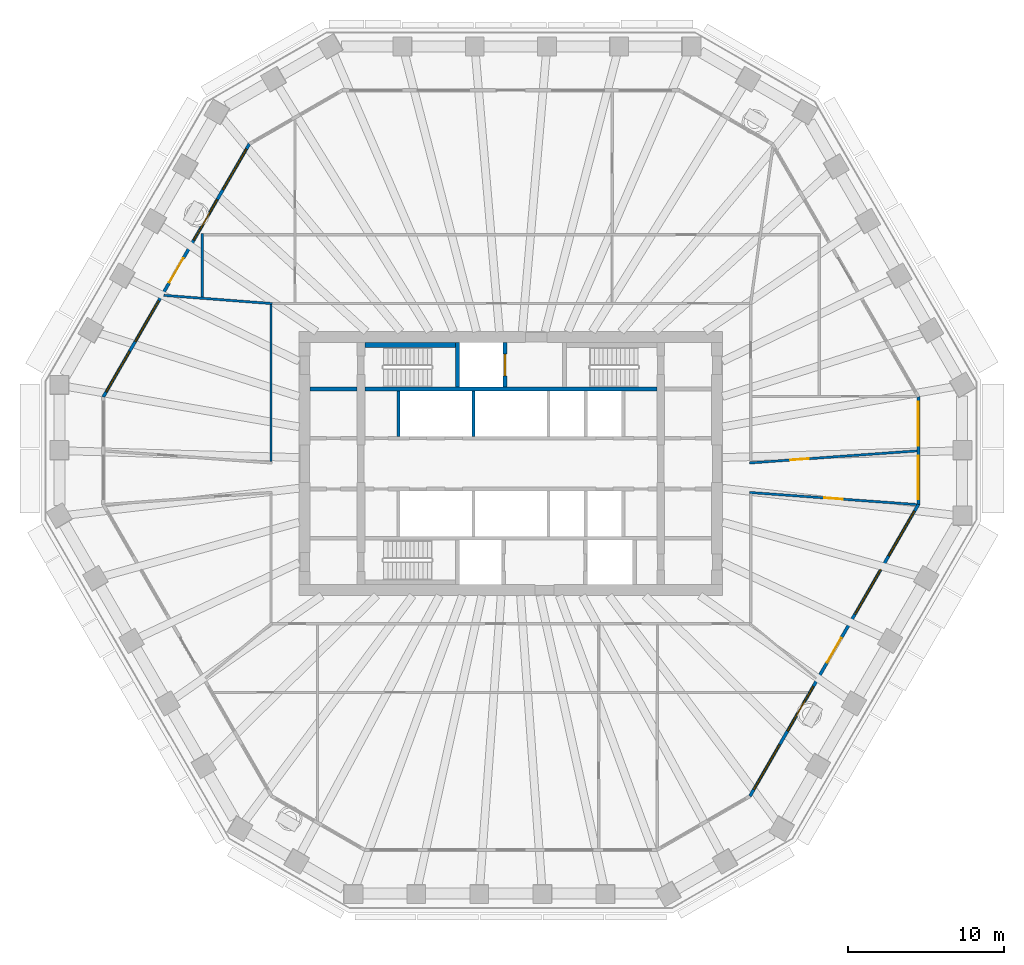
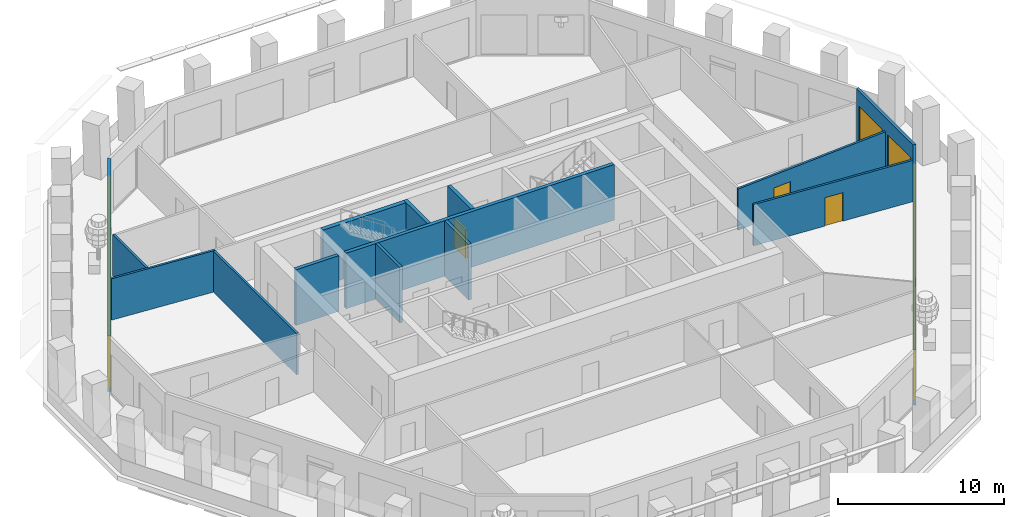
# One storey, part 6 of 12: 15 walls, 12 windows, 5 doors, 17 openings.
"""IFC4 building model written with IfcOpenShell, lengths in metres."""

import ifcopenshell
import ifcopenshell.guid

model = None  # the IFC model being written
_history = None  # IfcOwnerHistory: only IFC2X3 demands one
_inside = {}  # id of a spatial element -> (the spatial element, [elements in it])
_under = {}  # id of a project, library or spatial element -> (it, [spatial elements below it])
_declared = {}  # id of a project -> (the project, [libraries it declares])
_typed = {}  # id of a type object -> (the type object, [elements of that type])
_made_of = {}  # id of a material, layer set ... -> (it, [elements and type objects made of it])


def new_model(schema):
    """Start an empty IFC model of exactly this schema.

    Asked for "IFC4X3", IfcOpenShell would pick the latest addendum, in which some entities
    have other attributes; the version numbers below select the first issue.
    IFC2X3 requires an IfcOwnerHistory on every rooted entity: one is made here for all.
    """
    global model, _history
    if schema == "IFC4X3":
        model = ifcopenshell.file(schema_version=(4, 3, 0, 0))
    else:
        model = ifcopenshell.file(schema=schema)
    _inside.clear()
    _under.clear()
    _declared.clear()
    _typed.clear()
    _made_of.clear()
    _history = None
    if model.schema == "IFC2X3":
        org = make("IfcOrganization", Name="unknown")
        user = make(
            "IfcPersonAndOrganization",
            ThePerson=make("IfcPerson", FamilyName="unknown"),
            TheOrganization=org,
        )
        app = make(
            "IfcApplication",
            ApplicationDeveloper=org,
            Version="unknown",
            ApplicationFullName="unknown",
            ApplicationIdentifier="unknown",
        )
        _history = make(
            "IfcOwnerHistory",
            OwningUser=user,
            OwningApplication=app,
            ChangeAction="ADDED",
            CreationDate=0,
        )
    return model


def make(cls, **values):
    """One entity of the class cls with the attributes given. An attribute that is None is left unset."""
    return model.create_entity(
        cls, **{name: value for name, value in values.items() if value is not None}
    )


def rooted(cls, **values):
    """An entity with a GlobalId (a new one), such as an element, a storey or a relation."""
    return make(cls, GlobalId=ifcopenshell.guid.new(), OwnerHistory=_history, **values)


def si_unit(unit_type, name, prefix=None):
    """IfcSIUnit, for example si_unit("LENGTHUNIT", "METRE", prefix="MILLI")."""
    return make("IfcSIUnit", UnitType=unit_type, Prefix=prefix, Name=name)


def assignment(units):
    """IfcUnitAssignment: the units of a project."""
    return None if units is None else make("IfcUnitAssignment", Units=units)


def point(xyz):
    """IfcCartesianPoint."""
    return None if xyz is None else make("IfcCartesianPoint", Coordinates=xyz)


def direction(xyz):
    """IfcDirection."""
    return None if xyz is None else make("IfcDirection", DirectionRatios=xyz)


def frame(location, z_axis=None, x_axis=None):
    """IfcAxis2Placement3D, a coordinate frame: its origin and axes. An axis left out is left unset."""
    return make(
        "IfcAxis2Placement3D",
        Location=point(location),
        Axis=direction(z_axis),
        RefDirection=direction(x_axis),
    )


def frame_2d(location, x_axis=None):
    """IfcAxis2Placement2D, a coordinate frame in the plane: its origin and x axis."""
    return make(
        "IfcAxis2Placement2D", Location=point(location), RefDirection=direction(x_axis)
    )


def origin():
    """The frame at (0, 0, 0) with its axes left unset."""
    return frame((0.0, 0.0, 0.0))


def place(relative_to, where):
    """IfcLocalPlacement: puts the frame where relative to a parent placement (None: the world)."""
    return make(
        "IfcLocalPlacement", PlacementRelTo=relative_to, RelativePlacement=where
    )


def context(
    kind, dimensions, precision=None, world=None, true_north=None, identifier=None
):
    """IfcGeometricRepresentationContext, for example the 3D "Model" context."""
    return make(
        "IfcGeometricRepresentationContext",
        ContextIdentifier=identifier,
        ContextType=kind,
        CoordinateSpaceDimension=dimensions,
        Precision=precision,
        WorldCoordinateSystem=world,
        TrueNorth=true_north,
    )


def subcontext(parent, identifier, kind, view, scale=None):
    """IfcGeometricRepresentationSubContext, for example "Body" below "Model"."""
    return make(
        "IfcGeometricRepresentationSubContext",
        ContextIdentifier=identifier,
        ContextType=kind,
        ParentContext=parent,
        TargetScale=scale,
        TargetView=view,
    )


def project(units=None, contexts=None):
    """IfcProject with its units and contexts."""
    return rooted(
        "IfcProject",
        Name="project",
        RepresentationContexts=contexts,
        UnitsInContext=assignment(units),
    )


def spatial(cls, under=None, at=None, **own):
    """A site, building, storey or space (cls), placed at a placement, below another one or the project."""
    s = rooted(cls, ObjectPlacement=at, **own)
    if under is not None:
        _under.setdefault(under.id(), (under, []))[1].append(s)
    return s


def polyline(points):
    """IfcPolyline through the points."""
    return make("IfcPolyline", Points=[point(p) for p in points])


def profile(cls, at=None, kind="AREA", **sizes):
    """A parametric profile (cls). Its sizes go by their IFC names, for example OverallWidth=200.0."""
    return make(cls, ProfileType=kind, Position=at, **sizes)


def rectangle(**sizes):
    """IfcRectangleProfileDef."""
    return profile("IfcRectangleProfileDef", **sizes)


def outline(outer, holes=None, kind="AREA"):
    """IfcArbitraryClosedProfileDef: a profile drawn as a closed curve; with holes, ...WithVoids."""
    if holes is None:
        return make("IfcArbitraryClosedProfileDef", ProfileType=kind, OuterCurve=outer)
    return make(
        "IfcArbitraryProfileDefWithVoids",
        ProfileType=kind,
        OuterCurve=outer,
        InnerCurves=holes,
    )


def extrude(swept, where, along, depth):
    """IfcExtrudedAreaSolid: the profile swept, set in the frame where, extruded along a direction by depth."""
    return make(
        "IfcExtrudedAreaSolid",
        SweptArea=swept,
        Position=where,
        ExtrudedDirection=direction(along),
        Depth=depth,
    )


def shape(context_of_items, identifier, shape_type, items):
    """IfcShapeRepresentation: the items that make up one representation, for example the "Body"."""
    return make(
        "IfcShapeRepresentation",
        ContextOfItems=context_of_items,
        RepresentationIdentifier=identifier,
        RepresentationType=shape_type,
        Items=items,
    )


def material(Name=None, Category=None):
    """IfcMaterial."""
    return make("IfcMaterial", Name=Name, Category=Category)


def layer(
    of_material, thickness, ventilated=None, Name=None, Category=None, Priority=None
):
    """IfcMaterialLayer: one layer of a wall or slab, of a material (None: an air gap)."""
    return make(
        "IfcMaterialLayer",
        Material=of_material,
        LayerThickness=thickness,
        IsVentilated=ventilated,
        Name=Name,
        Category=Category,
        Priority=Priority,
    )


def layer_set(layers, Name=None):
    """IfcMaterialLayerSet."""
    return make("IfcMaterialLayerSet", MaterialLayers=layers, LayerSetName=Name)


def made_of(thing, what):
    """Note that an element or type object is made of a material, layer set ...; save() writes the relation."""
    if what is not None:
        _made_of.setdefault(what.id(), (what, []))[1].append(thing)
    return thing


def type_object(cls, material=None, **own):
    """A type object (cls), such as IfcWallType, which elements share."""
    return made_of(rooted(cls, **own), material)


def element(
    cls,
    number,
    at=None,
    inside=None,
    cuts=None,
    type_object=None,
    material=None,
    context=None,
    identifier="Body",
    shape_type=None,
    held_by="IfcProductDefinitionShape",
    body=None,
    shapes=None,
    **own,
):
    """One element of the class cls, such as IfcWall. Its Tag is "e" and its number.

    at: its placement. inside: the storey or other place that contains it. cuts: it is an
    opening in that element (IfcRelVoidsElement). A single representation is given by context,
    identifier, shape_type and body (its items); several are given by shapes. held_by: the class
    of the entity that holds the representations. save() writes the other relations.
    """
    e = rooted(cls, Tag="e%d" % number, ObjectPlacement=at, **own)
    if body is not None:
        shapes = [shape(context, identifier, shape_type, body)]
    if shapes is not None:
        e.Representation = make(held_by, Representations=shapes)
    if inside is not None:
        _inside.setdefault(inside.id(), (inside, []))[1].append(e)
    if cuts is not None:
        rooted(
            "IfcRelVoidsElement", RelatingBuildingElement=cuts, RelatedOpeningElement=e
        )
    if type_object is not None:
        _typed.setdefault(type_object.id(), (type_object, []))[1].append(e)
    return made_of(e, material)


def fill(opening, filler):
    """IfcRelFillsElement: the door or window that sits in an opening."""
    return rooted(
        "IfcRelFillsElement",
        RelatingOpeningElement=opening,
        RelatedBuildingElement=filler,
    )


def aggregate(whole, parts):
    """IfcRelAggregates: a whole, such as a stair, and the parts it consists of."""
    return rooted("IfcRelAggregates", RelatingObject=whole, RelatedObjects=parts)


def save(model, path):
    """Write the relations noted so far, then the file.

    IfcRelAggregates (storeys below a building ...), IfcRelContainedInSpatialStructure (elements
    in a storey), IfcRelDefinesByType, IfcRelAssociatesMaterial and IfcRelDeclares: one each for
    every whole, place, type object, material and project.
    """
    for whole, parts in _under.values():
        aggregate(whole, parts)
    for where, things in _inside.values():
        rooted(
            "IfcRelContainedInSpatialStructure",
            RelatedElements=things,
            RelatingStructure=where,
        )
    for kind, things in _typed.values():
        rooted("IfcRelDefinesByType", RelatedObjects=things, RelatingType=kind)
    for what, things in _made_of.values():
        rooted("IfcRelAssociatesMaterial", RelatedObjects=things, RelatingMaterial=what)
    for by, libraries in _declared.values():
        rooted("IfcRelDeclares", RelatingContext=by, RelatedDefinitions=libraries)
    model.write(path)


model = new_model("IFC4")

# Units and contexts
model_context = context("Model", 3, precision=1e-05, world=origin(), true_north=direction((0.0, 1.0)))
body_context = subcontext(model_context, "Body", "Model", "MODEL_VIEW")
ifc_project = project(units=[si_unit("LENGTHUNIT", "METRE"), si_unit("AREAUNIT", "SQUARE_METRE"), si_unit("VOLUMEUNIT", "CUBIC_METRE"), si_unit("PLANEANGLEUNIT", "RADIAN"), si_unit("MASSUNIT", "GRAM", prefix="KILO")], contexts=[model_context])

# Site, building, storey
site_placement = place(None, origin())
site = spatial("IfcSite", under=ifc_project, at=site_placement, CompositionType="ELEMENT")
building_placement = place(site_placement, origin())
building = spatial("IfcBuilding", under=site, at=building_placement, Name="Frailejon Research Tower", CompositionType="ELEMENT")
storey_placement = place(building_placement, frame((0.0, 0.0, 171.60009765625)))
storey = spatial("IfcBuildingStorey", under=building, at=storey_placement, Name="L37", CompositionType="ELEMENT", Elevation=171.60009765625)

# Wall
ifc_material_1 = material(Name="Gypsum board and masonry partition", Category="masonry")
ifc_layer_1 = layer(ifc_material_1, 0.14990234375)
ifc_layer_set_1 = layer_set([ifc_layer_1], Name="Corridor wall EI 60, gypsum on steel studs 150")
wall_type_1 = type_object("IfcWallType", Name="Corridor wall EI 60, gypsum on steel studs 150", PredefinedType="PARTITIONING", material=ifc_layer_set_1)
wall_1_placement = place(storey_placement, frame((-15.35009765625, 0.12255859375, 0.0), z_axis=(0.0, 0.0, 1.0), x_axis=(0.0, 1.0, 0.0)))
element("IfcWall", 1, at=wall_1_placement, inside=storey, type_object=wall_type_1, Name="T:IW:L37:005", PredefinedType="PARTITIONING", context=body_context, shape_type="SweptSolid", body=[
    extrude(rectangle(XDim=10.052490234375, YDim=0.14990234375, at=frame_2d((5.0263671875, 0.0))), origin(), (0.0, 0.0, 1.0), 3.0498046875),
])

# Wall, opening, door
wall_2_placement = place(storey_placement, frame((15.275146484375, 0.042236328125, 0.0), z_axis=(0.0, 0.0, 1.0), x_axis=(0.997408977035, 0.07193978406, 0.0)))
wall_2 = element("IfcWall", 2, at=wall_2_placement, inside=storey, type_object=wall_type_1, Name="T:IW:L37:009", PredefinedType="PARTITIONING", context=body_context, shape_type="SweptSolid", body=[
    extrude(rectangle(XDim=10.744384765625, YDim=0.14990234375, at=frame_2d((5.3720703125, 0.0))), origin(), (0.0, 0.0, 1.0), 3.0498046875),
])
opening_1_placement = place(wall_2_placement, frame((2.617431640625, 0.0, 0.0)))
opening_1 = element("IfcOpeningElement", 3, at=opening_1_placement, cuts=wall_2, Name="Opening D1803", PredefinedType="OPENING", context=body_context, shape_type="SweptSolid", body=[
    extrude(rectangle(XDim=1.199951171875, YDim=2.10009765625, at=frame_2d((0.60009765625, 1.050048828125))), frame((0.0, 0.0849609375, 0.0), z_axis=(0.0, -1.0, 0.0), x_axis=(1.0, 0.0, 0.0)), (0.0, 0.0, 1.0), 0.169921875),
])
ifc_material_2 = material(Name="Timber door leaf", Category="wood")
door_type_1 = type_object("IfcDoorType", Name="Door laboratory, timber, vision panel 1200", OperationType="NOTDEFINED", PredefinedType="DOOR", material=ifc_material_2)
door_1_placement = place(opening_1_placement, origin())
door_1 = element("IfcDoor", 4, at=door_1_placement, inside=storey, type_object=door_type_1, Name="D1803", OperationType="DOUBLE_DOOR_SINGLE_SWING", OverallHeight=2.10009765625, OverallWidth=1.199951171875, PredefinedType="DOOR", context=body_context, shape_type="SweptSolid", body=[
    extrude(rectangle(XDim=1.199951171875, YDim=2.10009765625, at=frame_2d((0.60009765625, 1.050048828125))), frame((0.0, 0.02490234375, 0.0), z_axis=(0.0, -1.0, 0.0), x_axis=(1.0, 0.0, 0.0)), (0.0, 0.0, 1.0), 0.050048828125),
])
fill(opening_1, door_1)

wall_3_placement = place(storey_placement, frame((15.275146484375, -1.846923828125, 0.0), z_axis=(0.0, 0.0, 1.0), x_axis=(0.997408409871, -0.07194764707, 0.0)))
wall_3 = element("IfcWall", 5, at=wall_3_placement, inside=storey, type_object=wall_type_1, Name="T:IW:L37:010", PredefinedType="PARTITIONING", context=body_context, shape_type="SweptSolid", body=[
    extrude(rectangle(XDim=10.722900390625, YDim=0.14990234375, at=frame_2d((5.361328125, 0.0))), origin(), (0.0, 0.0, 1.0), 3.0498046875),
])
opening_2_placement = place(wall_3_placement, frame((4.798828125, 0.0, 0.0)))
opening_2 = element("IfcOpeningElement", 6, at=opening_2_placement, cuts=wall_3, Name="Opening D1822", PredefinedType="OPENING", context=body_context, shape_type="SweptSolid", body=[
    extrude(rectangle(XDim=1.199951171875, YDim=2.10009765625, at=frame_2d((0.60009765625, 1.050048828125))), frame((0.0, 0.0849609375, 0.0), z_axis=(0.0, -1.0, 0.0), x_axis=(1.0, 0.0, 0.0)), (0.0, 0.0, 1.0), 0.169921875),
])
ifc_material_3 = material(Name="Timber door leaf", Category="wood")
door_type_2 = type_object("IfcDoorType", Name="Door single leaf, timber, steel frame 1200", OperationType="NOTDEFINED", PredefinedType="DOOR", material=ifc_material_3)
door_2_placement = place(opening_2_placement, origin())
door_2 = element("IfcDoor", 7, at=door_2_placement, inside=storey, type_object=door_type_2, Name="D1822", OperationType="DOUBLE_DOOR_SINGLE_SWING", OverallHeight=2.10009765625, OverallWidth=1.199951171875, PredefinedType="DOOR", context=body_context, shape_type="SweptSolid", body=[
    extrude(rectangle(XDim=1.199951171875, YDim=2.10009765625, at=frame_2d((0.60009765625, 1.050048828125))), frame((0.0, 0.02490234375, 0.0), z_axis=(0.0, -1.0, 0.0), x_axis=(1.0, 0.0, 0.0)), (0.0, 0.0, 1.0), 0.050048828125),
])
fill(opening_2, door_2)

# Walls
ifc_material_4 = material(Name="Gypsum board and masonry partition", Category="masonry")
ifc_layer_2 = layer(ifc_material_4, 0.14990234375)
ifc_layer_set_2 = layer_set([ifc_layer_2], Name="Laboratory partition, blockwork 150")
wall_type_2 = type_object("IfcWallType", Name="Laboratory partition, blockwork 150", PredefinedType="PARTITIONING", material=ifc_layer_set_2)
wall_4_placement = place(storey_placement, frame((-19.75, 10.660400390625, 0.0), z_axis=(0.0, 0.0, 1.0), x_axis=(0.0, 1.0, 0.0)))
element("IfcWall", 8, at=wall_4_placement, inside=storey, type_object=wall_type_2, Name="T:IW:L37:017", PredefinedType="PARTITIONING", context=body_context, shape_type="SweptSolid", body=[
    extrude(rectangle(XDim=4.064697265625, YDim=0.14990234375, at=frame_2d((2.0322265625, 0.0))), origin(), (0.0, 0.0, 1.0), 3.0498046875),
])
wall_5_placement = place(storey_placement, frame((-22.219482421875, 10.773681640625, 0.0), z_axis=(0.0, 0.0, 1.0), x_axis=(0.997107855609, -0.075999501862, 0.0)))
element("IfcWall", 9, at=wall_5_placement, inside=storey, type_object=wall_type_2, Name="T:IW:L37:018", PredefinedType="PARTITIONING", context=body_context, shape_type="SweptSolid", body=[
    extrude(rectangle(XDim=6.964599609375, YDim=0.14990234375, at=frame_2d((3.482421875, 0.0))), origin(), (0.0, 0.0, 1.0), 3.0498046875),
])
ifc_material_5 = material(Name="Concrete C60/75", Category="concrete")
ifc_layer_3 = layer(ifc_material_5, 0.199951171875)
ifc_layer_set_3 = layer_set([ifc_layer_3], Name="Shaft wall 200 C60/75")
wall_type_3 = type_object("IfcWallType", Name="Shaft wall 200 C60/75", PredefinedType="SOLIDWALL", material=ifc_layer_set_3)
for number, where, z_axis, x_axis, name in (
    (10, (-7.199951171875, 1.75, 0.0), (0.0, 0.0, 1.0), (0.0, 1.0, 0.0), "Shaft wall"),
    (11, (-2.39990234375, 1.75, 0.0), (0.0, 0.0, 1.0), (0.0, 1.0, 0.0), "Shaft wall"),
):
    element("IfcWall", number, at=place(storey_placement, frame(where, z_axis=z_axis, x_axis=x_axis)), inside=storey, type_object=wall_type_3, Name=name, PredefinedType="SOLIDWALL", context=body_context, shape_type="SweptSolid", body=[
        extrude(rectangle(XDim=2.89990234375, YDim=0.199951171875, at=frame_2d((1.449951171875, 0.0))), origin(), (0.0, 0.0, 1.0), 4.099853515625),
    ])
ifc_material_6 = material(Name="Concrete C60/75", Category="concrete")
ifc_layer_4 = layer(ifc_material_6, 0.25)
ifc_layer_set_4 = layer_set([ifc_layer_4], Name="Shaft wall 250 C60/75")
wall_type_4 = type_object("IfcWallType", Name="Shaft wall 250 C60/75", PredefinedType="SOLIDWALL", material=ifc_layer_set_4)
wall_6_placement = place(storey_placement, frame((-12.85009765625, 4.77490234375, 0.0), z_axis=(0.0, 0.0, 1.0), x_axis=(1.0, 0.0, 0.0)))
element("IfcWall", 12, at=wall_6_placement, inside=storey, type_object=wall_type_4, Name="Shaft wall", PredefinedType="SOLIDWALL", context=body_context, shape_type="SweptSolid", body=[
    extrude(rectangle(XDim=3.0, YDim=0.25, at=frame_2d((1.5, 0.0))), origin(), (0.0, 0.0, 1.0), 4.099853515625),
])
wall_7_placement = place(storey_placement, frame((-9.35009765625, 4.77490234375, 0.0), z_axis=(0.0, 0.0, 1.0), x_axis=(1.0, 0.0, 0.0)))
element("IfcWall", 13, at=wall_7_placement, inside=storey, type_object=wall_type_4, Name="Shaft wall", PredefinedType="SOLIDWALL", context=body_context, shape_type="SweptSolid", body=[
    extrude(rectangle(XDim=18.7001953125, YDim=0.25, at=frame_2d((9.35009765625, 0.0))), origin(), (0.0, 0.0, 1.0), 4.099853515625),
])
wall_8_placement = place(storey_placement, frame((-3.425048828125, 4.89990234375, 0.0), z_axis=(0.0, 0.0, 1.0), x_axis=(0.0, 1.0, 0.0)))
element("IfcWall", 14, at=wall_8_placement, inside=storey, type_object=wall_type_4, Name="Shaft wall", PredefinedType="SOLIDWALL", context=body_context, shape_type="SweptSolid", body=[
    extrude(rectangle(XDim=2.85009765625, YDim=0.25, at=frame_2d((1.425048828125, 0.0))), origin(), (0.0, 0.0, 1.0), 4.099853515625),
])

# Wall, opening, door
wall_9_placement = place(storey_placement, frame((-0.375, 4.89990234375, 0.0), z_axis=(0.0, 0.0, 1.0), x_axis=(0.0, 1.0, 0.0)))
wall_9 = element("IfcWall", 15, at=wall_9_placement, inside=storey, type_object=wall_type_4, Name="Shaft wall", PredefinedType="SOLIDWALL", context=body_context, shape_type="SweptSolid", body=[
    extrude(rectangle(XDim=2.85009765625, YDim=0.25, at=frame_2d((1.425048828125, 0.0))), origin(), (0.0, 0.0, 1.0), 4.099853515625),
])
opening_3_placement = place(wall_9_placement, frame((0.72509765625, 0.0, 0.0)))
opening_3 = element("IfcOpeningElement", 16, at=opening_3_placement, cuts=wall_9, Name="Opening LD2", PredefinedType="OPENING", context=body_context, shape_type="SweptSolid", body=[
    extrude(rectangle(XDim=1.39990234375, YDim=2.10009765625, at=frame_2d((0.699951171875, 1.050048828125))), frame((0.0, 0.135009765625, 0.0), z_axis=(0.0, -1.0, 0.0), x_axis=(1.0, 0.0, 0.0)), (0.0, 0.0, 1.0), 0.27001953125),
])
ifc_material_7 = material(Name="Stainless steel", Category="steel")
door_type_3 = type_object("IfcDoorType", Name="Goods landing door", OperationType="DOUBLE_DOOR_SLIDING", PredefinedType="DOOR", material=ifc_material_7)
door_3_placement = place(opening_3_placement, origin())
door_3 = element("IfcDoor", 17, at=door_3_placement, inside=storey, type_object=door_type_3, Name="Lift landing door", OperationType="DOUBLE_DOOR_SLIDING", OverallHeight=2.10009765625, OverallWidth=1.39990234375, PredefinedType="DOOR", context=body_context, shape_type="SweptSolid", body=[
    extrude(rectangle(XDim=1.39990234375, YDim=2.10009765625, at=frame_2d((0.699951171875, 1.050048828125))), frame((0.0, 0.074951171875, 0.0), z_axis=(0.0, -1.0, 0.0), x_axis=(1.0, 0.0, 0.0)), (0.0, 0.0, 1.0), 0.14990234375),
])
fill(opening_3, door_3)

# Wall
ifc_material_8 = material(Name="Concrete C60/75", Category="concrete")
ifc_layer_5 = layer(ifc_material_8, 0.300048828125)
ifc_layer_set_5 = layer_set([ifc_layer_5], Name="Shaft wall 300 C60/75")
wall_type_5 = type_object("IfcWallType", Name="Shaft wall 300 C60/75", PredefinedType="SOLIDWALL", material=ifc_layer_set_5)
wall_10_placement = place(storey_placement, frame((-9.35009765625, 7.60009765625, 0.0), z_axis=(0.0, 0.0, 1.0), x_axis=(1.0, 0.0, 0.0)))
element("IfcWall", 18, at=wall_10_placement, inside=storey, type_object=wall_type_5, Name="Shaft wall", PredefinedType="SOLIDWALL", context=body_context, shape_type="SweptSolid", body=[
    extrude(rectangle(XDim=5.800048828125, YDim=0.300048828125, at=frame_2d((2.89990234375, 0.0))), origin(), (0.0, 0.0, 1.0), 4.099853515625),
])

# Wall, openings, windows
ifc_material_9 = material(Name="Concrete C40/50 precast window wall panel", Category="concrete")
ifc_layer_6 = layer(ifc_material_9, 0.199951171875)
ifc_layer_set_6 = layer_set([ifc_layer_6], Name="Window wall 200")
wall_type_6 = type_object("IfcWallType", Name="Window wall 200", PredefinedType="SOLIDWALL", material=ifc_layer_set_6)
wall_11_placement = place(storey_placement, frame((26.091796875, -2.607666015625, 0.0), z_axis=(0.0, 0.0, 1.0), x_axis=(0.0, 1.0, 0.0)))
wall_11 = element("IfcWall", 19, at=wall_11_placement, inside=storey, type_object=wall_type_6, Name="Exterior wall L37", PredefinedType="SOLIDWALL", context=body_context, shape_type="SweptSolid", body=[
    extrude(outline(polyline([(-0.02685546875, -0.10009765625), (1.1279296875, -0.10009765625), (2.28271484375, -0.10009765625), (3.4375, -0.10009765625), (4.592041015625, -0.10009765625), (5.746826171875, -0.10009765625), (6.901611328125, -0.10009765625), (6.847900390625, 0.10009765625), (5.7109375, 0.10009765625), (4.57421875, 0.10009765625), (3.4375, 0.10009765625), (2.300537109375, 0.10009765625), (1.16357421875, 0.10009765625), (0.02685546875, 0.10009765625), (-0.02685546875, -0.10009765625)])), origin(), (0.0, 0.0, 1.0), 4.099853515625),
])
opening_4_placement = place(wall_11_placement, frame((0.318603515625, 0.0, 0.10009765625)))
opening_4 = element("IfcOpeningElement", 20, at=opening_4_placement, cuts=wall_11, Name="Opening W3", PredefinedType="OPENING", context=body_context, shape_type="SweptSolid", body=[
    extrude(rectangle(XDim=2.800048828125, YDim=2.89990234375, at=frame_2d((1.39990234375, 1.449951171875))), frame((0.0, 0.10986328125, 0.0), z_axis=(0.0, -1.0, 0.0), x_axis=(1.0, 0.0, 0.0)), (0.0, 0.0, 1.0), 0.219970703125),
])
opening_5_placement = place(wall_11_placement, frame((3.756103515625, 0.0, 0.10009765625)))
opening_5 = element("IfcOpeningElement", 21, at=opening_5_placement, cuts=wall_11, Name="Opening W3", PredefinedType="OPENING", context=body_context, shape_type="SweptSolid", body=[
    extrude(rectangle(XDim=2.800048828125, YDim=2.89990234375, at=frame_2d((1.39990234375, 1.449951171875))), frame((0.0, 0.10986328125, 0.0), z_axis=(0.0, -1.0, 0.0), x_axis=(1.0, 0.0, 0.0)), (0.0, 0.0, 1.0), 0.219970703125),
])
ifc_material_10 = material(Name="Aluminium framed double glazing", Category="aluminium")
window_type_1 = type_object("IfcWindowType", Name="Window 2800x2900", PartitioningType="SINGLE_PANEL", PredefinedType="WINDOW", material=ifc_material_10)
window_1_placement = place(opening_4_placement, origin())
window_1 = element("IfcWindow", 22, at=window_1_placement, inside=storey, type_object=window_type_1, Name="Window L37", OverallHeight=2.89990234375, OverallWidth=2.800048828125, PartitioningType="SINGLE_PANEL", PredefinedType="WINDOW", context=body_context, shape_type="SweptSolid", body=[
    extrude(rectangle(XDim=2.800048828125, YDim=2.89990234375, at=frame_2d((1.39990234375, 1.449951171875))), frame((0.0, 0.030029296875, 0.0), z_axis=(0.0, -1.0, 0.0), x_axis=(1.0, 0.0, 0.0)), (0.0, 0.0, 1.0), 0.06005859375),
])
fill(opening_4, window_1)
window_2_placement = place(opening_5_placement, origin())
window_2 = element("IfcWindow", 23, at=window_2_placement, inside=storey, type_object=window_type_1, Name="Window L37", OverallHeight=2.89990234375, OverallWidth=2.800048828125, PartitioningType="SINGLE_PANEL", PredefinedType="WINDOW", context=body_context, shape_type="SweptSolid", body=[
    extrude(rectangle(XDim=2.800048828125, YDim=2.89990234375, at=frame_2d((1.39990234375, 1.449951171875))), frame((0.0, 0.030029296875, 0.0), z_axis=(0.0, -1.0, 0.0), x_axis=(1.0, 0.0, 0.0)), (0.0, 0.0, 1.0), 0.06005859375),
])
fill(opening_5, window_2)

# Wall, openings, door, windows
wall_12_placement = place(storey_placement, frame((-16.7412109375, 20.462646484375, 0.0), z_axis=(0.0, 0.0, 1.0), x_axis=(-0.500003086107, -0.866023622012, 0.0)))
wall_12 = element("IfcWall", 24, at=wall_12_placement, inside=storey, type_object=wall_type_6, Name="Exterior wall L37", PredefinedType="SOLIDWALL", context=body_context, shape_type="SweptSolid", body=[
    extrude(outline(polyline([(-0.02685546875, -0.10009765625), (1.01513671875, -0.10009765625), (2.05712890625, -0.10009765625), (3.098876953125, -0.10009765625), (4.140869140625, -0.10009765625), (5.182861328125, -0.10009765625), (6.224853515625, -0.10009765625), (7.2666015625, -0.10009765625), (8.30859375, -0.10009765625), (9.3505859375, -0.10009765625), (10.392578125, -0.10009765625), (11.4345703125, -0.10009765625), (12.476318359375, -0.10009765625), (13.518310546875, -0.10009765625), (14.560302734375, -0.10009765625), (15.602294921875, -0.10009765625), (16.64404296875, -0.10009765625), (17.68603515625, -0.10009765625), (18.72802734375, -0.10009765625), (18.67431640625, 0.10009765625), (17.638427734375, 0.10009765625), (16.602294921875, 0.10009765625), (15.56640625, 0.10009765625), (14.530517578125, 0.10009765625), (13.494384765625, 0.10009765625), (12.45849609375, 0.10009765625), (11.422607421875, 0.10009765625), (10.386474609375, 0.10009765625), (9.3505859375, 0.10009765625), (8.314697265625, 0.10009765625), (7.278564453125, 0.10009765625), (6.24267578125, 0.10009765625), (5.206787109375, 0.10009765625), (4.170654296875, 0.10009765625), (3.134765625, 0.10009765625), (2.098876953125, 0.10009765625), (1.062744140625, 0.10009765625), (0.02685546875, 0.10009765625), (-0.02685546875, -0.10009765625)])), origin(), (0.0, 0.0, 1.0), 4.099853515625),
])
opening_6_placement = place(wall_12_placement, frame((0.3701171875, 0.0, 0.10009765625)))
opening_6 = element("IfcOpeningElement", 25, at=opening_6_placement, cuts=wall_12, Name="Opening W4", PredefinedType="OPENING", context=body_context, shape_type="SweptSolid", body=[
    extrude(rectangle(XDim=3.0, YDim=2.89990234375, at=frame_2d((1.5, 1.449951171875))), frame((0.0, 0.10986328125, 0.0), z_axis=(0.0, -1.0, 0.0), x_axis=(1.0, 0.0, 0.0)), (0.0, 0.0, 1.0), 0.219970703125),
])
opening_7_placement = place(wall_12_placement, frame((4.1103515625, 0.0, 0.10009765625)))
opening_7 = element("IfcOpeningElement", 26, at=opening_7_placement, cuts=wall_12, Name="Opening W4", PredefinedType="OPENING", context=body_context, shape_type="SweptSolid", body=[
    extrude(rectangle(XDim=3.0, YDim=2.89990234375, at=frame_2d((1.5, 1.449951171875))), frame((0.0, 0.10986328125, 0.0), z_axis=(0.0, -1.0, 0.0), x_axis=(1.0, 0.0, 0.0)), (0.0, 0.0, 1.0), 0.219970703125),
])
opening_8_placement = place(wall_12_placement, frame((8.45068359375, 0.0, 0.0)))
opening_8 = element("IfcOpeningElement", 27, at=opening_8_placement, cuts=wall_12, Name="Opening LG37-3", PredefinedType="OPENING", context=body_context, shape_type="SweptSolid", body=[
    extrude(rectangle(XDim=1.800048828125, YDim=2.39990234375, at=frame_2d((0.89990234375, 1.199951171875))), frame((0.0, 0.10986328125, 0.0), z_axis=(0.0, -1.0, 0.0), x_axis=(1.0, 0.0, 0.0)), (0.0, 0.0, 1.0), 0.219970703125),
])
opening_9_placement = place(wall_12_placement, frame((8.45068359375, 0.0, 2.550048828125)))
opening_9 = element("IfcOpeningElement", 28, at=opening_9_placement, cuts=wall_12, Name="Opening W1", PredefinedType="OPENING", context=body_context, shape_type="SweptSolid", body=[
    extrude(rectangle(XDim=1.800048828125, YDim=0.449951171875, at=frame_2d((0.89990234375, 0.22509765625))), frame((0.0, 0.10986328125, 0.0), z_axis=(0.0, -1.0, 0.0), x_axis=(1.0, 0.0, 0.0)), (0.0, 0.0, 1.0), 0.219970703125),
])
opening_10_placement = place(wall_12_placement, frame((11.5908203125, 0.0, 0.10009765625)))
opening_10 = element("IfcOpeningElement", 29, at=opening_10_placement, cuts=wall_12, Name="Opening W4", PredefinedType="OPENING", context=body_context, shape_type="SweptSolid", body=[
    extrude(rectangle(XDim=3.0, YDim=2.89990234375, at=frame_2d((1.5, 1.449951171875))), frame((0.0, 0.10986328125, 0.0), z_axis=(0.0, -1.0, 0.0), x_axis=(1.0, 0.0, 0.0)), (0.0, 0.0, 1.0), 0.219970703125),
])
opening_11_placement = place(wall_12_placement, frame((15.3310546875, 0.0, 0.10009765625)))
opening_11 = element("IfcOpeningElement", 30, at=opening_11_placement, cuts=wall_12, Name="Opening W4", PredefinedType="OPENING", context=body_context, shape_type="SweptSolid", body=[
    extrude(rectangle(XDim=3.0, YDim=2.89990234375, at=frame_2d((1.5, 1.449951171875))), frame((0.0, 0.10986328125, 0.0), z_axis=(0.0, -1.0, 0.0), x_axis=(1.0, 0.0, 0.0)), (0.0, 0.0, 1.0), 0.219970703125),
])
ifc_material_11 = material(Name="Aluminium framed glazed door leaf", Category="aluminium")
door_type_4 = type_object("IfcDoorType", Name="Loggia door 1800x2400", OperationType="DOUBLE_DOOR_SINGLE_SWING", PredefinedType="DOOR", material=ifc_material_11)
door_4_placement = place(opening_8_placement, origin())
door_4 = element("IfcDoor", 31, at=door_4_placement, inside=storey, type_object=door_type_4, Name="Door LG37-3", OperationType="DOUBLE_DOOR_SINGLE_SWING", OverallHeight=2.39990234375, OverallWidth=1.800048828125, PredefinedType="DOOR", context=body_context, shape_type="SweptSolid", body=[
    extrude(rectangle(XDim=1.800048828125, YDim=2.39990234375, at=frame_2d((0.89990234375, 1.199951171875))), frame((0.0, 0.02490234375, 0.0), z_axis=(0.0, -1.0, 0.0), x_axis=(1.0, 0.0, 0.0)), (0.0, 0.0, 1.0), 0.050048828125),
])
fill(opening_8, door_4)
ifc_material_12 = material(Name="Aluminium framed double glazing", Category="aluminium")
window_type_2 = type_object("IfcWindowType", Name="Window 1800x450", PartitioningType="SINGLE_PANEL", PredefinedType="WINDOW", material=ifc_material_12)
window_3_placement = place(opening_9_placement, origin())
window_3 = element("IfcWindow", 32, at=window_3_placement, inside=storey, type_object=window_type_2, Name="Window L37", OverallHeight=0.449951171875, OverallWidth=1.800048828125, PartitioningType="SINGLE_PANEL", PredefinedType="WINDOW", context=body_context, shape_type="SweptSolid", body=[
    extrude(rectangle(XDim=1.800048828125, YDim=0.449951171875, at=frame_2d((0.89990234375, 0.22509765625))), frame((0.0, 0.030029296875, 0.0), z_axis=(0.0, -1.0, 0.0), x_axis=(1.0, 0.0, 0.0)), (0.0, 0.0, 1.0), 0.06005859375),
])
fill(opening_9, window_3)
ifc_material_13 = material(Name="Aluminium framed double glazing", Category="aluminium")
window_type_3 = type_object("IfcWindowType", Name="Window 3000x2900", PartitioningType="SINGLE_PANEL", PredefinedType="WINDOW", material=ifc_material_13)
window_4_placement = place(opening_6_placement, origin())
window_4 = element("IfcWindow", 33, at=window_4_placement, inside=storey, type_object=window_type_3, Name="Window L37", OverallHeight=2.89990234375, OverallWidth=3.0, PartitioningType="SINGLE_PANEL", PredefinedType="WINDOW", context=body_context, shape_type="SweptSolid", body=[
    extrude(rectangle(XDim=3.0, YDim=2.89990234375, at=frame_2d((1.5, 1.449951171875))), frame((0.0, 0.030029296875, 0.0), z_axis=(0.0, -1.0, 0.0), x_axis=(1.0, 0.0, 0.0)), (0.0, 0.0, 1.0), 0.06005859375),
])
fill(opening_6, window_4)
window_5_placement = place(opening_7_placement, origin())
window_5 = element("IfcWindow", 34, at=window_5_placement, inside=storey, type_object=window_type_3, Name="Window L37", OverallHeight=2.89990234375, OverallWidth=3.0, PartitioningType="SINGLE_PANEL", PredefinedType="WINDOW", context=body_context, shape_type="SweptSolid", body=[
    extrude(rectangle(XDim=3.0, YDim=2.89990234375, at=frame_2d((1.5, 1.449951171875))), frame((0.0, 0.030029296875, 0.0), z_axis=(0.0, -1.0, 0.0), x_axis=(1.0, 0.0, 0.0)), (0.0, 0.0, 1.0), 0.06005859375),
])
fill(opening_7, window_5)
window_6_placement = place(opening_10_placement, origin())
window_6 = element("IfcWindow", 35, at=window_6_placement, inside=storey, type_object=window_type_3, Name="Window L37", OverallHeight=2.89990234375, OverallWidth=3.0, PartitioningType="SINGLE_PANEL", PredefinedType="WINDOW", context=body_context, shape_type="SweptSolid", body=[
    extrude(rectangle(XDim=3.0, YDim=2.89990234375, at=frame_2d((1.5, 1.449951171875))), frame((0.0, 0.030029296875, 0.0), z_axis=(0.0, -1.0, 0.0), x_axis=(1.0, 0.0, 0.0)), (0.0, 0.0, 1.0), 0.06005859375),
])
fill(opening_10, window_6)
window_7_placement = place(opening_11_placement, origin())
window_7 = element("IfcWindow", 36, at=window_7_placement, inside=storey, type_object=window_type_3, Name="Window L37", OverallHeight=2.89990234375, OverallWidth=3.0, PartitioningType="SINGLE_PANEL", PredefinedType="WINDOW", context=body_context, shape_type="SweptSolid", body=[
    extrude(rectangle(XDim=3.0, YDim=2.89990234375, at=frame_2d((1.5, 1.449951171875))), frame((0.0, 0.030029296875, 0.0), z_axis=(0.0, -1.0, 0.0), x_axis=(1.0, 0.0, 0.0)), (0.0, 0.0, 1.0), 0.06005859375),
])
fill(opening_11, window_7)

wall_13_placement = place(storey_placement, frame((15.30419921875, -21.292236328125, 0.0), z_axis=(0.0, 0.0, 1.0), x_axis=(0.500001945179, 0.866024280732, 0.0)))
wall_13 = element("IfcWall", 37, at=wall_13_placement, inside=storey, type_object=wall_type_6, Name="Exterior wall L37", PredefinedType="SOLIDWALL", context=body_context, shape_type="SweptSolid", body=[
    extrude(outline(polyline([(-0.02685546875, -0.10009765625), (1.003173828125, -0.10009765625), (2.032958984375, -0.10009765625), (3.06298828125, -0.10009765625), (4.093017578125, -0.10009765625), (5.122802734375, -0.10009765625), (6.15283203125, -0.10009765625), (7.182861328125, -0.10009765625), (8.212646484375, -0.10009765625), (9.24267578125, -0.10009765625), (10.272705078125, -0.10009765625), (11.302490234375, -0.10009765625), (12.33251953125, -0.10009765625), (13.362548828125, -0.10009765625), (14.392333984375, -0.10009765625), (15.42236328125, -0.10009765625), (16.452392578125, -0.10009765625), (17.482177734375, -0.10009765625), (18.51220703125, -0.10009765625), (19.542236328125, -0.10009765625), (20.572021484375, -0.10009765625), (21.60205078125, -0.10009765625), (21.54833984375, 0.10009765625), (20.5234375, 0.10009765625), (19.498779296875, 0.10009765625), (18.473876953125, 0.10009765625), (17.448974609375, 0.10009765625), (16.424072265625, 0.10009765625), (15.3994140625, 0.10009765625), (14.37451171875, 0.10009765625), (13.349609375, 0.10009765625), (12.324951171875, 0.10009765625), (11.300048828125, 0.10009765625), (10.275146484375, 0.10009765625), (9.250244140625, 0.10009765625), (8.2255859375, 0.10009765625), (7.20068359375, 0.10009765625), (6.17578125, 0.10009765625), (5.151123046875, 0.10009765625), (4.126220703125, 0.10009765625), (3.101318359375, 0.10009765625), (2.076416015625, 0.10009765625), (1.0517578125, 0.10009765625), (0.02685546875, 0.10009765625), (-0.02685546875, -0.10009765625)])), origin(), (0.0, 0.0, 1.0), 4.099853515625),
])
opening_12_placement = place(wall_13_placement, frame((0.507568359375, 0.0, 0.10009765625)))
opening_12 = element("IfcOpeningElement", 38, at=opening_12_placement, cuts=wall_13, Name="Opening W5", PredefinedType="OPENING", context=body_context, shape_type="SweptSolid", body=[
    extrude(rectangle(XDim=3.300048828125, YDim=2.89990234375, at=frame_2d((1.64990234375, 1.449951171875))), frame((0.0, 0.10986328125, 0.0), z_axis=(0.0, -1.0, 0.0), x_axis=(1.0, 0.0, 0.0)), (0.0, 0.0, 1.0), 0.219970703125),
])
opening_13_placement = place(wall_13_placement, frame((4.822509765625, 0.0, 0.10009765625)))
opening_13 = element("IfcOpeningElement", 39, at=opening_13_placement, cuts=wall_13, Name="Opening W5", PredefinedType="OPENING", context=body_context, shape_type="SweptSolid", body=[
    extrude(rectangle(XDim=3.300048828125, YDim=2.89990234375, at=frame_2d((1.64990234375, 1.449951171875))), frame((0.0, 0.10986328125, 0.0), z_axis=(0.0, -1.0, 0.0), x_axis=(1.0, 0.0, 0.0)), (0.0, 0.0, 1.0), 0.219970703125),
])
opening_14_placement = place(wall_13_placement, frame((9.8876953125, 0.0, 0.0)))
opening_14 = element("IfcOpeningElement", 40, at=opening_14_placement, cuts=wall_13, Name="Opening LG37-6", PredefinedType="OPENING", context=body_context, shape_type="SweptSolid", body=[
    extrude(rectangle(XDim=1.800048828125, YDim=2.39990234375, at=frame_2d((0.89990234375, 1.199951171875))), frame((0.0, 0.10986328125, 0.0), z_axis=(0.0, -1.0, 0.0), x_axis=(1.0, 0.0, 0.0)), (0.0, 0.0, 1.0), 0.219970703125),
])
opening_15_placement = place(wall_13_placement, frame((9.8876953125, 0.0, 2.550048828125)))
opening_15 = element("IfcOpeningElement", 41, at=opening_15_placement, cuts=wall_13, Name="Opening W1", PredefinedType="OPENING", context=body_context, shape_type="SweptSolid", body=[
    extrude(rectangle(XDim=1.800048828125, YDim=0.449951171875, at=frame_2d((0.89990234375, 0.22509765625))), frame((0.0, 0.10986328125, 0.0), z_axis=(0.0, -1.0, 0.0), x_axis=(1.0, 0.0, 0.0)), (0.0, 0.0, 1.0), 0.219970703125),
])
opening_16_placement = place(wall_13_placement, frame((13.45263671875, 0.0, 0.10009765625)))
opening_16 = element("IfcOpeningElement", 42, at=opening_16_placement, cuts=wall_13, Name="Opening W5", PredefinedType="OPENING", context=body_context, shape_type="SweptSolid", body=[
    extrude(rectangle(XDim=3.300048828125, YDim=2.89990234375, at=frame_2d((1.64990234375, 1.449951171875))), frame((0.0, 0.10986328125, 0.0), z_axis=(0.0, -1.0, 0.0), x_axis=(1.0, 0.0, 0.0)), (0.0, 0.0, 1.0), 0.219970703125),
])
opening_17_placement = place(wall_13_placement, frame((17.767578125, 0.0, 0.10009765625)))
opening_17 = element("IfcOpeningElement", 43, at=opening_17_placement, cuts=wall_13, Name="Opening W5", PredefinedType="OPENING", context=body_context, shape_type="SweptSolid", body=[
    extrude(rectangle(XDim=3.300048828125, YDim=2.89990234375, at=frame_2d((1.64990234375, 1.449951171875))), frame((0.0, 0.10986328125, 0.0), z_axis=(0.0, -1.0, 0.0), x_axis=(1.0, 0.0, 0.0)), (0.0, 0.0, 1.0), 0.219970703125),
])
door_5_placement = place(opening_14_placement, origin())
door_5 = element("IfcDoor", 44, at=door_5_placement, inside=storey, type_object=door_type_4, Name="Door LG37-6", OperationType="DOUBLE_DOOR_SINGLE_SWING", OverallHeight=2.39990234375, OverallWidth=1.800048828125, PredefinedType="DOOR", context=body_context, shape_type="SweptSolid", body=[
    extrude(rectangle(XDim=1.800048828125, YDim=2.39990234375, at=frame_2d((0.89990234375, 1.199951171875))), frame((0.0, 0.02490234375, 0.0), z_axis=(0.0, -1.0, 0.0), x_axis=(1.0, 0.0, 0.0)), (0.0, 0.0, 1.0), 0.050048828125),
])
fill(opening_14, door_5)
window_8_placement = place(opening_15_placement, origin())
window_8 = element("IfcWindow", 45, at=window_8_placement, inside=storey, type_object=window_type_2, Name="Window L37", OverallHeight=0.449951171875, OverallWidth=1.800048828125, PartitioningType="SINGLE_PANEL", PredefinedType="WINDOW", context=body_context, shape_type="SweptSolid", body=[
    extrude(rectangle(XDim=1.800048828125, YDim=0.449951171875, at=frame_2d((0.89990234375, 0.22509765625))), frame((0.0, 0.030029296875, 0.0), z_axis=(0.0, -1.0, 0.0), x_axis=(1.0, 0.0, 0.0)), (0.0, 0.0, 1.0), 0.06005859375),
])
fill(opening_15, window_8)
ifc_material_14 = material(Name="Aluminium framed double glazing", Category="aluminium")
window_type_4 = type_object("IfcWindowType", Name="Window 3300x2900", PartitioningType="SINGLE_PANEL", PredefinedType="WINDOW", material=ifc_material_14)
window_9_placement = place(opening_12_placement, origin())
window_9 = element("IfcWindow", 46, at=window_9_placement, inside=storey, type_object=window_type_4, Name="Window L37", OverallHeight=2.89990234375, OverallWidth=3.300048828125, PartitioningType="SINGLE_PANEL", PredefinedType="WINDOW", context=body_context, shape_type="SweptSolid", body=[
    extrude(rectangle(XDim=3.300048828125, YDim=2.89990234375, at=frame_2d((1.64990234375, 1.449951171875))), frame((0.0, 0.030029296875, 0.0), z_axis=(0.0, -1.0, 0.0), x_axis=(1.0, 0.0, 0.0)), (0.0, 0.0, 1.0), 0.06005859375),
])
fill(opening_12, window_9)
window_10_placement = place(opening_13_placement, origin())
window_10 = element("IfcWindow", 47, at=window_10_placement, inside=storey, type_object=window_type_4, Name="Window L37", OverallHeight=2.89990234375, OverallWidth=3.300048828125, PartitioningType="SINGLE_PANEL", PredefinedType="WINDOW", context=body_context, shape_type="SweptSolid", body=[
    extrude(rectangle(XDim=3.300048828125, YDim=2.89990234375, at=frame_2d((1.64990234375, 1.449951171875))), frame((0.0, 0.030029296875, 0.0), z_axis=(0.0, -1.0, 0.0), x_axis=(1.0, 0.0, 0.0)), (0.0, 0.0, 1.0), 0.06005859375),
])
fill(opening_13, window_10)
window_11_placement = place(opening_16_placement, origin())
window_11 = element("IfcWindow", 48, at=window_11_placement, inside=storey, type_object=window_type_4, Name="Window L37", OverallHeight=2.89990234375, OverallWidth=3.300048828125, PartitioningType="SINGLE_PANEL", PredefinedType="WINDOW", context=body_context, shape_type="SweptSolid", body=[
    extrude(rectangle(XDim=3.300048828125, YDim=2.89990234375, at=frame_2d((1.64990234375, 1.449951171875))), frame((0.0, 0.030029296875, 0.0), z_axis=(0.0, -1.0, 0.0), x_axis=(1.0, 0.0, 0.0)), (0.0, 0.0, 1.0), 0.06005859375),
])
fill(opening_16, window_11)
window_12_placement = place(opening_17_placement, origin())
window_12 = element("IfcWindow", 49, at=window_12_placement, inside=storey, type_object=window_type_4, Name="Window L37", OverallHeight=2.89990234375, OverallWidth=3.300048828125, PartitioningType="SINGLE_PANEL", PredefinedType="WINDOW", context=body_context, shape_type="SweptSolid", body=[
    extrude(rectangle(XDim=3.300048828125, YDim=2.89990234375, at=frame_2d((1.64990234375, 1.449951171875))), frame((0.0, 0.030029296875, 0.0), z_axis=(0.0, -1.0, 0.0), x_axis=(1.0, 0.0, 0.0)), (0.0, 0.0, 1.0), 0.06005859375),
])
fill(opening_17, window_12)

save(model, "model.ifc")
